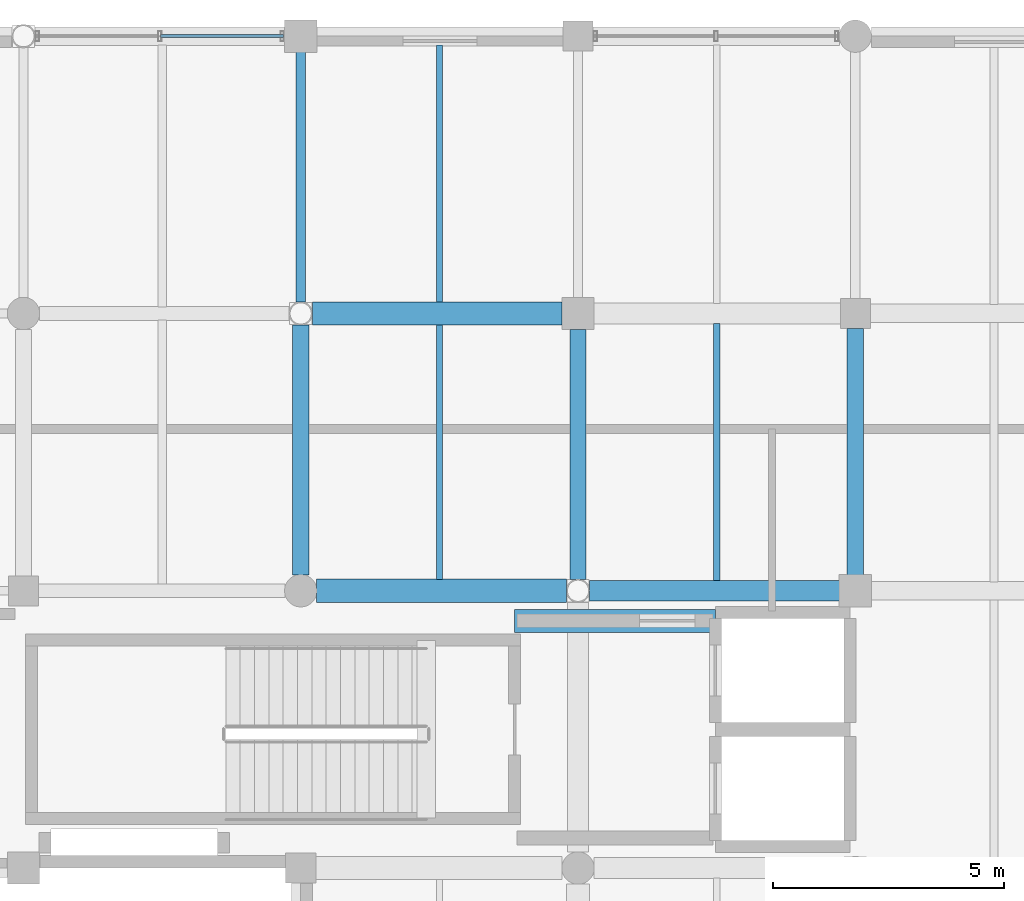
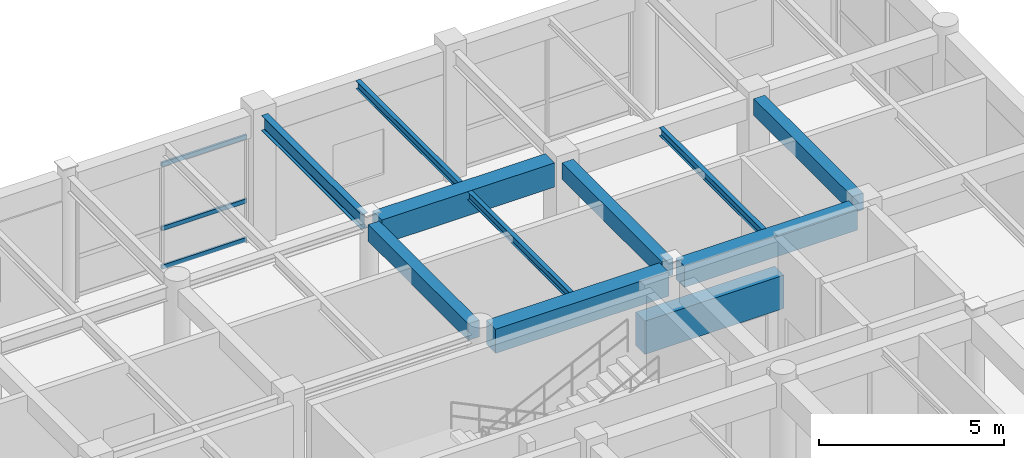
# One storey, part 74 of 116: 11 beams, 3 members, 1 element without a shape of its own.
"""IFC4 building model written with IfcOpenShell, lengths in metres."""

from ifc_helpers import new_model, si_unit, direction, frame, origin, origin_2d, place, context, subcontext, project, spatial, rectangle, hollow_rectangle, i_section, extrude, material, material_profile, profile_set, type_object, element, aggregate, save


model = new_model("IFC4")

# Units and contexts
model_context = context("Model", 3, precision=1e-05, world=origin(), true_north=direction((0.0, 1.0)))
body_context = subcontext(model_context, "Body", "Model", "MODEL_VIEW")
ifc_project = project(units=[si_unit("LENGTHUNIT", "METRE"), si_unit("AREAUNIT", "SQUARE_METRE"), si_unit("VOLUMEUNIT", "CUBIC_METRE"), si_unit("PLANEANGLEUNIT", "RADIAN"), si_unit("MASSUNIT", "GRAM", prefix="KILO"), si_unit("THERMODYNAMICTEMPERATUREUNIT", "KELVIN"), si_unit("POWERUNIT", "WATT")], contexts=[model_context])

# Site, building, storey
site_placement = place(None, origin())
site = spatial("IfcSite", under=ifc_project, at=site_placement, CompositionType="ELEMENT")
building_placement = place(site_placement, origin())
building = spatial("IfcBuilding", under=site, at=building_placement, Name="Phaisarnlok Congress Hotel", CompositionType="ELEMENT")
storey_placement = place(building_placement, frame((0.0, 0.0, 10.5)))
storey = spatial("IfcBuildingStorey", under=building, at=storey_placement, Name="L02", CompositionType="ELEMENT", Elevation=10.5)

# Beams
ifc_material_1 = material(Name="Concrete C40/50", Category="concrete")
ifc_material_profile_1 = material_profile(ifc_material_1, rectangle(XDim=0.35009765625, YDim=0.550048828125, at=origin_2d()), Name="RC 350x550")
ifc_profile_set_1 = profile_set([ifc_material_profile_1], Name="Concrete C40/50")
beam_type_1 = type_object("IfcBeamType", Name="BM-RC-350x550", PredefinedType="BEAM", material=ifc_profile_set_1)
for number, where, z_axis, x_axis, name in (
    (1, (162.0, 114.344970703125, 3.965087890625), (0.0, 1.0, 0.0), (-1.0, 0.0, 0.0), "Beam B-01"),
    (2, (168.0, 114.2490234375, 3.965087890625), (0.0, 1.0, 0.0), (-1.0, 0.0, 0.0), "Beam B-01"),
):
    element("IfcBeam", number, at=place(storey_placement, frame(where, z_axis=z_axis, x_axis=x_axis)), inside=storey, type_object=beam_type_1, Name=name, PredefinedType="BEAM", context=body_context, shape_type="SweptSolid", body=[
        extrude(rectangle(XDim=0.35009765625, YDim=0.550048828125, at=origin_2d()), origin(), (0.0, 0.0, 1.0), 5.406005859375),
    ])
beam_1_placement = place(storey_placement, frame((174.0, 114.344970703125, 3.965087890625), z_axis=(0.0, 1.0, 0.0), x_axis=(-1.0, 0.0, 0.0)))
element("IfcBeam", 3, at=beam_1_placement, inside=storey, type_object=beam_type_1, Name="Beam B-01", PredefinedType="BEAM", context=body_context, shape_type="SweptSolid", body=[
    extrude(rectangle(XDim=0.35009765625, YDim=0.550048828125, at=origin_2d()), origin(), (0.0, 0.0, 1.0), 5.3349609375),
])
ifc_material_profile_2 = material_profile(ifc_material_1, rectangle(XDim=0.449951171875, YDim=0.699951171875, at=origin_2d()), Name="RC 450x700")
ifc_profile_set_2 = profile_set([ifc_material_profile_2], Name="Concrete C40/50")
beam_type_2 = type_object("IfcBeamType", Name="BM-RC-450x700", PredefinedType="BEAM", material=ifc_profile_set_2)
beam_2_placement = place(storey_placement, frame((168.2490234375, 114.0, 3.889892578125), z_axis=(1.0, 0.0, 0.0), x_axis=(0.0, 1.0, 0.0)))
element("IfcBeam", 4, at=beam_2_placement, inside=storey, type_object=beam_type_2, Name="Beam B-03", PredefinedType="BEAM", context=body_context, shape_type="SweptSolid", body=[
    extrude(rectangle(XDim=0.449951171875, YDim=0.699951171875, at=origin_2d()), origin(), (0.0, 0.0, 1.0), 5.406005859375),
])
ifc_material_profile_3 = material_profile(ifc_material_1, rectangle(XDim=0.5, YDim=0.800048828125, at=origin_2d()), Name="RC 500x800")
ifc_profile_set_3 = profile_set([ifc_material_profile_3], Name="Concrete C40/50")
beam_type_3 = type_object("IfcBeamType", Name="BM-RC-500x800", PredefinedType="BEAM", material=ifc_profile_set_3)
for number, where, z_axis, x_axis, name in (
    (5, (162.344970703125, 114.0, 3.840087890625), (1.0, 0.0, 0.0), (0.0, 1.0, 0.0), "Beam B-04"),
    (6, (162.2490234375, 120.0, 3.840087890625), (1.0, 0.0, 0.0), (0.0, 1.0, 0.0), "Beam B-04"),
):
    element("IfcBeam", number, at=place(storey_placement, frame(where, z_axis=z_axis, x_axis=x_axis)), inside=storey, type_object=beam_type_3, Name=name, PredefinedType="BEAM", context=body_context, shape_type="SweptSolid", body=[
        extrude(rectangle(XDim=0.5, YDim=0.800048828125, at=origin_2d()), origin(), (0.0, 0.0, 1.0), 5.406005859375),
    ])
ifc_material_2 = material(Name="Steel S355", Category="steel")
ifc_material_profile_4 = material_profile(ifc_material_2, i_section(OverallWidth=0.199951171875, OverallDepth=0.5, WebThickness=0.01025390625, FlangeThickness=0.01611328125, FilletRadius=0.02099609375, at=origin_2d()), Name="IPE 500")
ifc_profile_set_4 = profile_set([ifc_material_profile_4], Name="Steel S355")
beam_type_4 = type_object("IfcBeamType", Name="BM-STL-IPE500", PredefinedType="BEAM", material=ifc_profile_set_4)
beam_3_placement = place(storey_placement, frame((162.0, 120.2490234375, 3.989990234375), z_axis=(0.0, 1.0, 0.0), x_axis=(-1.0, 0.0, 0.0)))
element("IfcBeam", 7, at=beam_3_placement, inside=storey, type_object=beam_type_4, Name="Beam SB-02", PredefinedType="BEAM", context=body_context, shape_type="SweptSolid", body=[
    extrude(i_section(OverallWidth=0.199951171875, OverallDepth=0.5, WebThickness=0.01025390625, FlangeThickness=0.01611328125, FilletRadius=0.02099609375, at=origin_2d()), origin(), (0.0, 0.0, 1.0), 5.406005859375),
])

# Curtain wall, members
ifc_material_3 = material(Name="Thermally Broken Unitised Aluminium & Low-E Glazing", Category="aluminium")
curtain_wall_type = type_object("IfcCurtainWallType", Name="CW-UNIT-17", PredefinedType="NOTDEFINED", material=ifc_material_3)
curtain_wall_placement = place(storey_placement, origin())
curtain_wall = element("IfcCurtainWall", 8, at=curtain_wall_placement, inside=storey, type_object=curtain_wall_type, Name="Unitised curtain wall CW-17 (L02)", PredefinedType="NOTDEFINED")
ifc_material_4 = material(Name="Anodised Aluminium Alloy 6063-T6", Category="aluminium")
ifc_material_profile_5 = material_profile(ifc_material_4, hollow_rectangle(XDim=0.06494140625, YDim=0.139892578125, WallThickness=0.00390625, at=origin_2d()), Name="ALU-T 65x140x4")
ifc_profile_set_5 = profile_set([ifc_material_profile_5], Name="Anodised Aluminium Alloy 6063-T6")
member_type = type_object("IfcMemberType", Name="CWT-150", PredefinedType="USERDEFINED", material=ifc_profile_set_5)
member_1_placement = place(storey_placement, frame((161.625, 126.0, 0.050048828125), z_axis=(-1.0, 0.0, 0.0), x_axis=(0.0, -1.0, 0.0)))
member_1 = element("IfcMember", 9, at=member_1_placement, type_object=member_type, Name="Curtain wall transom CWT-01", ObjectType="TRANSOM", PredefinedType="USERDEFINED", context=body_context, shape_type="SweptSolid", body=[
    extrude(hollow_rectangle(XDim=0.06494140625, YDim=0.139892578125, WallThickness=0.00390625, at=origin_2d()), origin(), (0.0, 0.0, 1.0), 2.657958984375),
])
member_2_placement = place(storey_placement, frame((161.625, 126.0, 1.326171875), z_axis=(-1.0, 0.0, 0.0), x_axis=(0.0, -1.0, 0.0)))
member_2 = element("IfcMember", 10, at=member_2_placement, type_object=member_type, Name="Curtain wall transom CWT-01", ObjectType="TRANSOM", PredefinedType="USERDEFINED", context=body_context, shape_type="SweptSolid", body=[
    extrude(hollow_rectangle(XDim=0.06494140625, YDim=0.139892578125, WallThickness=0.00390625, at=origin_2d()), origin(), (0.0, 0.0, 1.0), 2.657958984375),
])
member_3_placement = place(storey_placement, frame((161.625, 126.0, 3.43994140625), z_axis=(-1.0, 0.0, 0.0), x_axis=(0.0, -1.0, 0.0)))
member_3 = element("IfcMember", 11, at=member_3_placement, type_object=member_type, Name="Curtain wall transom CWT-01", ObjectType="TRANSOM", PredefinedType="USERDEFINED", context=body_context, shape_type="SweptSolid", body=[
    extrude(hollow_rectangle(XDim=0.06494140625, YDim=0.139892578125, WallThickness=0.00390625, at=origin_2d()), origin(), (0.0, 0.0, 1.0), 2.657958984375),
])
aggregate(curtain_wall, [member_1, member_2, member_3])

# Beams
ifc_material_profile_6 = material_profile(ifc_material_2, i_section(OverallWidth=0.135009765625, OverallDepth=0.27001953125, WebThickness=0.006591796875, FlangeThickness=0.01025390625, FilletRadius=0.014892578125, at=origin_2d()), Name="IPE 270")
ifc_profile_set_6 = profile_set([ifc_material_profile_6], Name="Steel S355")
beam_type_5 = type_object("IfcBeamType", Name="JS-STL-IPE270", PredefinedType="JOIST", material=ifc_profile_set_6)
beam_4_placement = place(storey_placement, frame((165.0, 114.2451171875, 4.10498046875), z_axis=(0.0, 1.0, 0.0), x_axis=(-1.0, 0.0, 0.0)))
element("IfcBeam", 12, at=beam_4_placement, inside=storey, type_object=beam_type_5, Name="Secondary floor joist J-02", PredefinedType="JOIST", context=body_context, shape_type="SweptSolid", body=[
    extrude(i_section(OverallWidth=0.135009765625, OverallDepth=0.27001953125, WebThickness=0.006591796875, FlangeThickness=0.01025390625, FilletRadius=0.014892578125, at=origin_2d()), origin(), (0.0, 0.0, 1.0), 5.509765625),
])
beam_5_placement = place(storey_placement, frame((165.0, 120.2451171875, 4.10498046875), z_axis=(0.0, 1.0, 0.0), x_axis=(-1.0, 0.0, 0.0)))
element("IfcBeam", 13, at=beam_5_placement, inside=storey, type_object=beam_type_5, Name="Secondary floor joist J-02", PredefinedType="JOIST", context=body_context, shape_type="SweptSolid", body=[
    extrude(i_section(OverallWidth=0.135009765625, OverallDepth=0.27001953125, WebThickness=0.006591796875, FlangeThickness=0.01025390625, FilletRadius=0.014892578125, at=origin_2d()), origin(), (0.0, 0.0, 1.0), 5.559814453125),
])
beam_6_placement = place(storey_placement, frame((171.0, 114.219970703125, 4.10498046875), z_axis=(0.0, 1.0, 0.0), x_axis=(-1.0, 0.0, 0.0)))
element("IfcBeam", 14, at=beam_6_placement, inside=storey, type_object=beam_type_5, Name="Secondary floor joist J-02", PredefinedType="JOIST", context=body_context, shape_type="SweptSolid", body=[
    extrude(i_section(OverallWidth=0.135009765625, OverallDepth=0.27001953125, WebThickness=0.006591796875, FlangeThickness=0.01025390625, FilletRadius=0.014892578125, at=origin_2d()), origin(), (0.0, 0.0, 1.0), 5.56005859375),
])
ifc_material_5 = material(Name="Concrete C50/60", Category="concrete")
ifc_material_profile_7 = material_profile(ifc_material_5, rectangle(XDim=0.5, YDim=1.10009765625, at=origin_2d()), Name="RC 500x1100")
ifc_profile_set_7 = profile_set([ifc_material_profile_7], Name="Concrete C50/60")
beam_type_6 = type_object("IfcBeamType", Name="LN-RC-500x1100", PredefinedType="LINTEL", material=ifc_profile_set_7)
beam_7_placement = place(storey_placement, frame((166.6298828125, 113.35009765625, 2.85009765625), z_axis=(1.0, 0.0, 0.0), x_axis=(0.0, 1.0, 0.0)))
element("IfcBeam", 15, at=beam_7_placement, inside=storey, type_object=beam_type_6, Name="Core coupling lintel beam LN-02", PredefinedType="LINTEL", context=body_context, shape_type="SweptSolid", body=[
    extrude(rectangle(XDim=0.5, YDim=1.10009765625, at=origin_2d()), origin(), (0.0, 0.0, 1.0), 4.340087890625),
])

save(model, "model.ifc")
